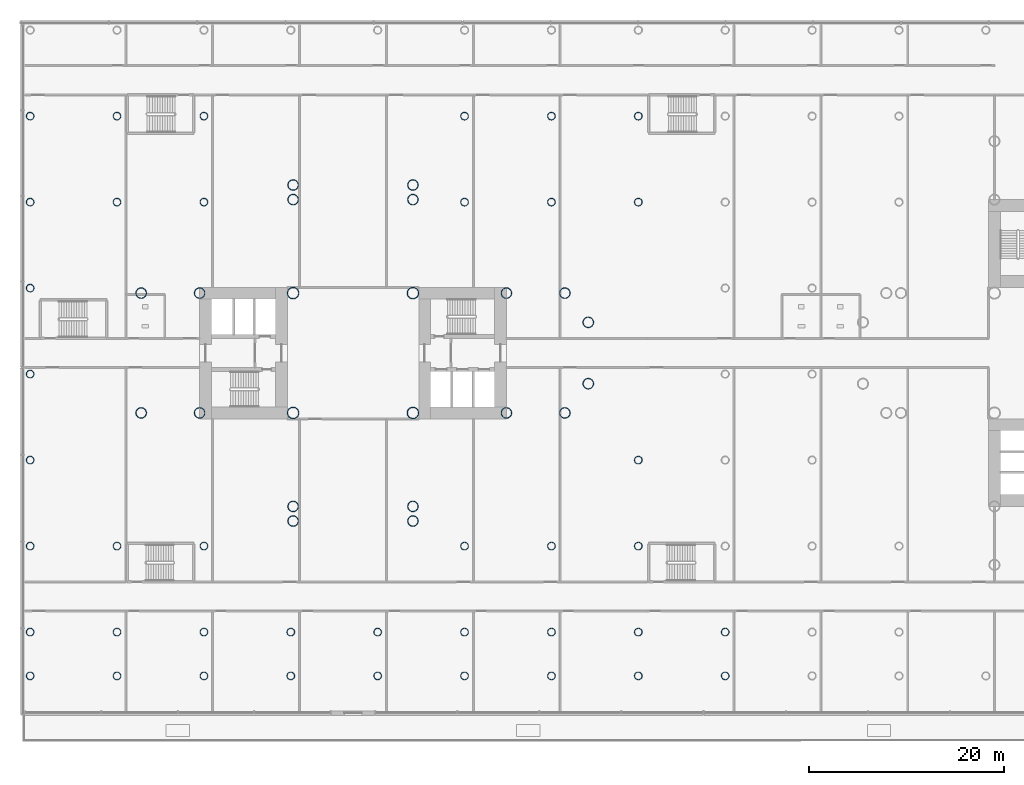
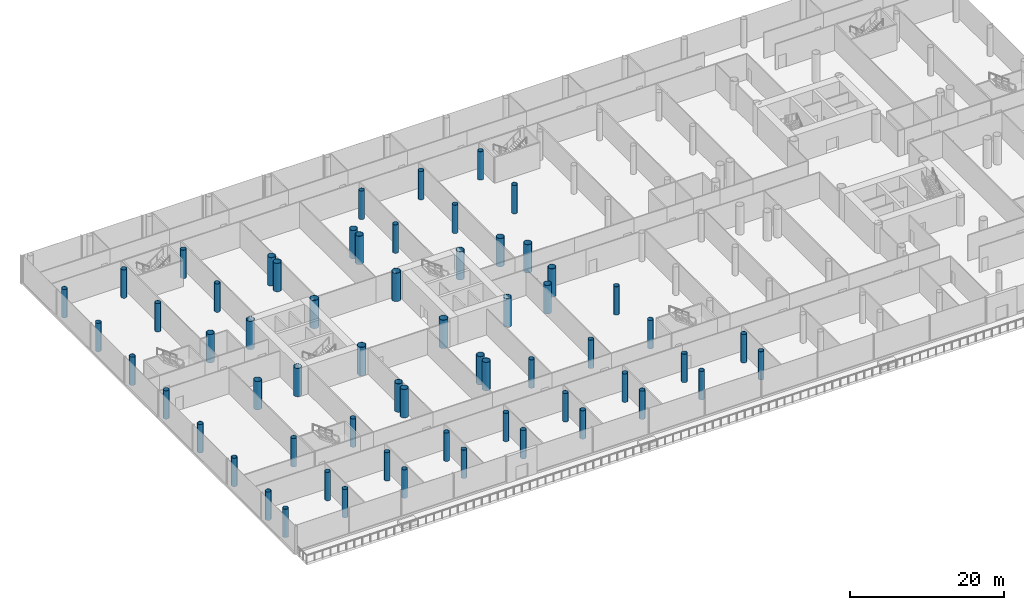
# One storey, part 1 of 49: 62 columns.
"""IFC4 building model written with IfcOpenShell, lengths in metres."""

from ifc_helpers import new_model, si_unit, direction, frame, origin, origin_2d, place, context, subcontext, project, spatial, hollow_circle, extrude, material, material_profile, profile_set, type_object, element, save


model = new_model("IFC4")

# Units and contexts
model_context = context("Model", 3, precision=1e-05, world=origin(), true_north=direction((0.0, 1.0)))
body_context = subcontext(model_context, "Body", "Model", "MODEL_VIEW")
ifc_project = project(units=[si_unit("LENGTHUNIT", "METRE"), si_unit("AREAUNIT", "SQUARE_METRE"), si_unit("VOLUMEUNIT", "CUBIC_METRE"), si_unit("PLANEANGLEUNIT", "RADIAN"), si_unit("MASSUNIT", "GRAM", prefix="KILO")], contexts=[model_context])

# Site, building, storey
site_placement = place(None, origin())
site = spatial("IfcSite", under=ifc_project, at=site_placement, CompositionType="ELEMENT")
building_placement = place(site_placement, origin())
building = spatial("IfcBuilding", under=site, at=building_placement, Name="Ipe Terrace Towers", CompositionType="ELEMENT")
storey_placement = place(building_placement, frame((0.0, 0.0, 11.0)))
storey = spatial("IfcBuildingStorey", under=building, at=storey_placement, Name="L02", CompositionType="ELEMENT", Elevation=11.0)

# Columns
ifc_material_1 = material(Name="Steel S355 tube with Concrete C60/75 fill", Category="concrete")
ifc_material_profile_1 = material_profile(ifc_material_1, hollow_circle(Radius=0.550048828125, WallThickness=0.0400390625, at=origin_2d()), Name="CHS-1100x40")
ifc_profile_set_1 = profile_set([ifc_material_profile_1], Name="Steel S355 tube with Concrete C60/75 fill")
column_type_1 = type_object("IfcColumnType", Name="CH02 COLUMN CHS-1100x40", PredefinedType="COLUMN", material=ifc_profile_set_1)
for number, where, z_axis, x_axis, name in (
    (1, (-20.25, -6.14990234375, 0.0), (0.0, 0.0, 1.0), (1.0, 0.0, 0.0), "Column T1-C-A01"),
    (2, (-20.25, 6.14990234375, 0.0), (0.0, 0.0, 1.0), (1.0, 0.0, 0.0), "Column T1-C-A02"),
    (3, (-14.25, -6.14990234375, 0.0), (0.0, 0.0, 1.0), (1.0, 0.0, 0.0), "Column T1-C-A03"),
    (4, (-14.25, 6.14990234375, 0.0), (0.0, 0.0, 1.0), (1.0, 0.0, 0.0), "Column T1-C-A04"),
    (5, (-11.85009765625, -3.14990234375, 0.0), (0.0, 0.0, 1.0), (1.0, 0.0, 0.0), "Column T1-C-A05"),
    (6, (-11.85009765625, 3.14990234375, 0.0), (0.0, 0.0, 1.0), (1.0, 0.0, 0.0), "Column T1-C-A06"),
    (7, (-29.85009765625, 15.75, 0.0), (0.0, 0.0, 1.0), (1.0, 0.0, 0.0), "Column T1-C-B03"),
    (8, (-42.14990234375, 15.75, 0.0), (0.0, 0.0, 1.0), (1.0, 0.0, 0.0), "Column T1-C-B04"),
    (9, (-29.85009765625, 17.25, 0.0), (0.0, 0.0, 1.0), (1.0, 0.0, 0.0), "Column T1-C-B05"),
    (10, (-42.14990234375, 17.25, 0.0), (0.0, 0.0, 1.0), (1.0, 0.0, 0.0), "Column T1-C-B06"),
    (11, (-51.75, -6.14990234375, 0.0), (0.0, 0.0, 1.0), (1.0, 0.0, 0.0), "Column T1-C-C01"),
    (12, (-51.75, 6.14990234375, 0.0), (0.0, 0.0, 1.0), (1.0, 0.0, 0.0), "Column T1-C-C02"),
    (13, (-57.75, -6.14990234375, 0.0), (0.0, 0.0, 1.0), (1.0, 0.0, 0.0), "Column T1-C-C03"),
    (14, (-57.75, 6.14990234375, 0.0), (0.0, 0.0, 1.0), (1.0, 0.0, 0.0), "Column T1-C-C04"),
    (15, (-42.14990234375, -15.75, 0.0), (0.0, 0.0, 1.0), (1.0, 0.0, 0.0), "Column T1-C-D03"),
    (16, (-29.85009765625, -15.75, 0.0), (0.0, 0.0, 1.0), (1.0, 0.0, 0.0), "Column T1-C-D04"),
    (17, (-42.14990234375, -17.25, 0.0), (0.0, 0.0, 1.0), (1.0, 0.0, 0.0), "Column T1-C-D05"),
    (18, (-29.85009765625, -17.25, 0.0), (0.0, 0.0, 1.0), (1.0, 0.0, 0.0), "Column T1-C-D06"),
):
    element("IfcColumn", number, at=place(storey_placement, frame(where, z_axis=z_axis, x_axis=x_axis)), inside=storey, type_object=column_type_1, Name=name, PredefinedType="COLUMN", context=body_context, shape_type="SweptSolid", body=[
        extrude(hollow_circle(Radius=0.550048828125, WallThickness=0.0400390625, at=origin_2d()), origin(), (0.0, 0.0, 1.0), 4.5),
    ])
ifc_material_2 = material(Name="Steel S355 tube with Concrete C60/75 fill", Category="concrete")
ifc_material_profile_2 = material_profile(ifc_material_2, hollow_circle(Radius=0.60009765625, WallThickness=0.044921875, at=origin_2d()), Name="CHS-1200x45")
ifc_profile_set_2 = profile_set([ifc_material_profile_2], Name="Steel S355 tube with Concrete C60/75 fill")
column_type_2 = type_object("IfcColumnType", Name="CH03 COLUMN CHS-1200x45", PredefinedType="COLUMN", material=ifc_profile_set_2)
for number, where, z_axis, x_axis, name in (
    (19, (-42.14990234375, -6.14990234375, 0.0), (0.0, 0.0, 1.0), (1.0, 0.0, 0.0), "Column T1-C-E01"),
    (20, (-29.85009765625, -6.14990234375, 0.0), (0.0, 0.0, 1.0), (1.0, 0.0, 0.0), "Column T1-C-E02"),
    (21, (-29.85009765625, 6.14990234375, 0.0), (0.0, 0.0, 1.0), (1.0, 0.0, 0.0), "Column T1-C-E03"),
    (22, (-42.14990234375, 6.14990234375, 0.0), (0.0, 0.0, 1.0), (1.0, 0.0, 0.0), "Column T1-C-E04"),
):
    element("IfcColumn", number, at=place(storey_placement, frame(where, z_axis=z_axis, x_axis=x_axis)), inside=storey, type_object=column_type_2, Name=name, PredefinedType="COLUMN", context=body_context, shape_type="SweptSolid", body=[
        extrude(hollow_circle(Radius=0.60009765625, WallThickness=0.044921875, at=origin_2d()), origin(), (0.0, 0.0, 1.0), 4.5),
    ])
ifc_material_3 = material(Name="Steel S355 tube with Concrete C60/75 fill", Category="concrete")
ifc_material_profile_3 = material_profile(ifc_material_3, hollow_circle(Radius=0.39990234375, WallThickness=0.028076171875, at=origin_2d()), Name="CHS-800x28")
ifc_profile_set_3 = profile_set([ifc_material_profile_3], Name="Steel S355 tube with Concrete C60/75 fill")
column_type_3 = type_object("IfcColumnType", Name="CH09 PODIUM COLUMN CHS-800x28", PredefinedType="COLUMN", material=ifc_profile_set_3)
for number, where, z_axis, x_axis, name in (
    (23, (-69.14990234375, -33.14990234375, 0.0), (0.0, 0.0, 1.0), (1.0, 0.0, 0.0), "Column PD-C-C01"),
    (24, (-60.22998046875, -33.14990234375, 0.0), (0.0, 0.0, 1.0), (1.0, 0.0, 0.0), "Column PD-C-C02"),
    (25, (-51.31005859375, -33.14990234375, 0.0), (0.0, 0.0, 1.0), (1.0, 0.0, 0.0), "Column PD-C-C03"),
    (26, (-42.389892578125, -33.14990234375, 0.0), (0.0, 0.0, 1.0), (1.0, 0.0, 0.0), "Column PD-C-C04"),
    (27, (-33.469970703125, -33.14990234375, 0.0), (0.0, 0.0, 1.0), (1.0, 0.0, 0.0), "Column PD-C-C05"),
    (28, (-24.550048828125, -33.14990234375, 0.0), (0.0, 0.0, 1.0), (1.0, 0.0, 0.0), "Column PD-C-C06"),
    (29, (-15.6298828125, -33.14990234375, 0.0), (0.0, 0.0, 1.0), (1.0, 0.0, 0.0), "Column PD-C-C07"),
    (30, (-6.7099609375, -33.14990234375, 0.0), (0.0, 0.0, 1.0), (1.0, 0.0, 0.0), "Column PD-C-C08"),
    (31, (2.2099609375, -33.14990234375, 0.0), (0.0, 0.0, 1.0), (1.0, 0.0, 0.0), "Column PD-C-C09"),
    (32, (-69.14990234375, -28.64990234375, 0.0), (0.0, 0.0, 1.0), (1.0, 0.0, 0.0), "Column PD-C-D01"),
    (33, (-60.22998046875, -28.64990234375, 0.0), (0.0, 0.0, 1.0), (1.0, 0.0, 0.0), "Column PD-C-D02"),
    (34, (-51.31005859375, -28.64990234375, 0.0), (0.0, 0.0, 1.0), (1.0, 0.0, 0.0), "Column PD-C-D03"),
    (35, (-42.389892578125, -28.64990234375, 0.0), (0.0, 0.0, 1.0), (1.0, 0.0, 0.0), "Column PD-C-D04"),
    (36, (-33.469970703125, -28.64990234375, 0.0), (0.0, 0.0, 1.0), (1.0, 0.0, 0.0), "Column PD-C-D05"),
    (37, (-24.550048828125, -28.64990234375, 0.0), (0.0, 0.0, 1.0), (1.0, 0.0, 0.0), "Column PD-C-D06"),
    (38, (-15.6298828125, -28.64990234375, 0.0), (0.0, 0.0, 1.0), (1.0, 0.0, 0.0), "Column PD-C-D07"),
    (39, (-6.7099609375, -28.64990234375, 0.0), (0.0, 0.0, 1.0), (1.0, 0.0, 0.0), "Column PD-C-D08"),
    (40, (2.2099609375, -28.64990234375, 0.0), (0.0, 0.0, 1.0), (1.0, 0.0, 0.0), "Column PD-C-D09"),
    (41, (-69.14990234375, -19.821044921875, 0.0), (0.0, 0.0, 1.0), (1.0, 0.0, 0.0), "Column PD-C-E01"),
    (42, (-60.22998046875, -19.821044921875, 0.0), (0.0, 0.0, 1.0), (1.0, 0.0, 0.0), "Column PD-C-E02"),
    (43, (-51.31005859375, -19.821044921875, 0.0), (0.0, 0.0, 1.0), (1.0, 0.0, 0.0), "Column PD-C-E03"),
    (44, (-24.550048828125, -19.821044921875, 0.0), (0.0, 0.0, 1.0), (1.0, 0.0, 0.0), "Column PD-C-E06"),
    (45, (-15.6298828125, -19.821044921875, 0.0), (0.0, 0.0, 1.0), (1.0, 0.0, 0.0), "Column PD-C-E07"),
    (46, (-6.7099609375, -19.821044921875, 0.0), (0.0, 0.0, 1.0), (1.0, 0.0, 0.0), "Column PD-C-E08"),
    (47, (-69.14990234375, -10.992919921875, 0.0), (0.0, 0.0, 1.0), (1.0, 0.0, 0.0), "Column PD-C-F01"),
    (48, (-6.7099609375, -10.992919921875, 0.0), (0.0, 0.0, 1.0), (1.0, 0.0, 0.0), "Column PD-C-F08"),
    (49, (-69.14990234375, -2.1640625, 0.0), (0.0, 0.0, 1.0), (1.0, 0.0, 0.0), "Column PD-C-G01"),
    (50, (-69.14990234375, 6.6640625, 0.0), (0.0, 0.0, 1.0), (1.0, 0.0, 0.0), "Column PD-C-H01"),
    (51, (-69.14990234375, 15.492919921875, 0.0), (0.0, 0.0, 1.0), (1.0, 0.0, 0.0), "Column PD-C-I01"),
    (52, (-60.22998046875, 15.492919921875, 0.0), (0.0, 0.0, 1.0), (1.0, 0.0, 0.0), "Column PD-C-I02"),
    (53, (-51.31005859375, 15.492919921875, 0.0), (0.0, 0.0, 1.0), (1.0, 0.0, 0.0), "Column PD-C-I03"),
    (54, (-24.550048828125, 15.492919921875, 0.0), (0.0, 0.0, 1.0), (1.0, 0.0, 0.0), "Column PD-C-I06"),
    (55, (-15.6298828125, 15.492919921875, 0.0), (0.0, 0.0, 1.0), (1.0, 0.0, 0.0), "Column PD-C-I07"),
    (56, (-6.7099609375, 15.492919921875, 0.0), (0.0, 0.0, 1.0), (1.0, 0.0, 0.0), "Column PD-C-I08"),
    (57, (-69.14990234375, 24.321044921875, 0.0), (0.0, 0.0, 1.0), (1.0, 0.0, 0.0), "Column PD-C-J01"),
    (58, (-60.22998046875, 24.321044921875, 0.0), (0.0, 0.0, 1.0), (1.0, 0.0, 0.0), "Column PD-C-J02"),
    (59, (-51.31005859375, 24.321044921875, 0.0), (0.0, 0.0, 1.0), (1.0, 0.0, 0.0), "Column PD-C-J03"),
    (60, (-24.550048828125, 24.321044921875, 0.0), (0.0, 0.0, 1.0), (1.0, 0.0, 0.0), "Column PD-C-J06"),
    (61, (-15.6298828125, 24.321044921875, 0.0), (0.0, 0.0, 1.0), (1.0, 0.0, 0.0), "Column PD-C-J07"),
    (62, (-6.7099609375, 24.321044921875, 0.0), (0.0, 0.0, 1.0), (1.0, 0.0, 0.0), "Column PD-C-J08"),
):
    element("IfcColumn", number, at=place(storey_placement, frame(where, z_axis=z_axis, x_axis=x_axis)), inside=storey, type_object=column_type_3, Name=name, PredefinedType="COLUMN", context=body_context, shape_type="SweptSolid", body=[
        extrude(hollow_circle(Radius=0.39990234375, WallThickness=0.028076171875, at=origin_2d()), origin(), (0.0, 0.0, 1.0), 4.5),
    ])

save(model, "model.ifc")
